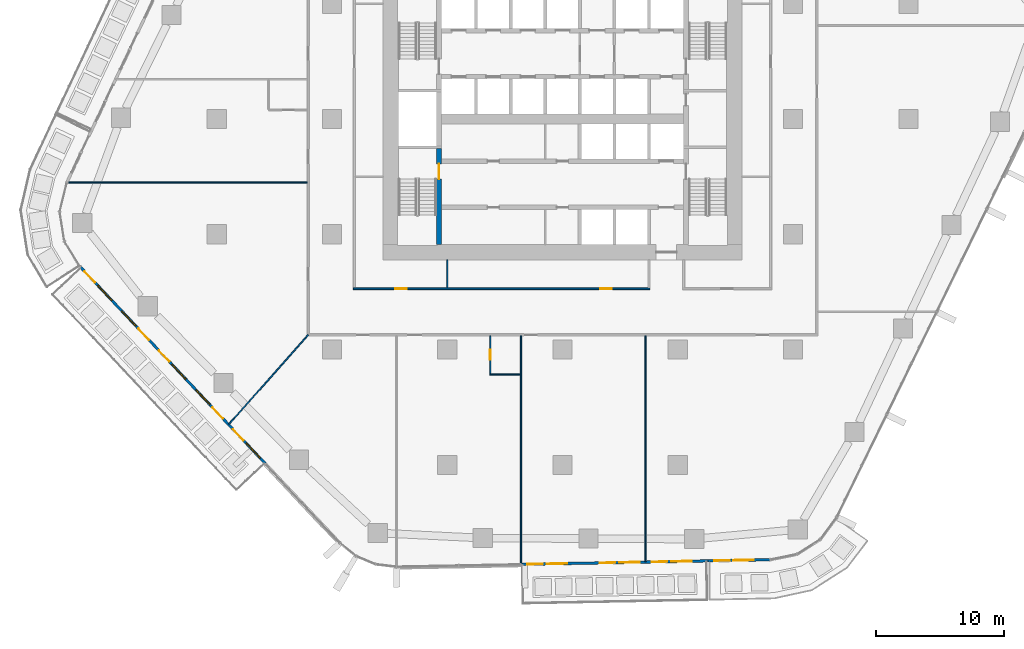
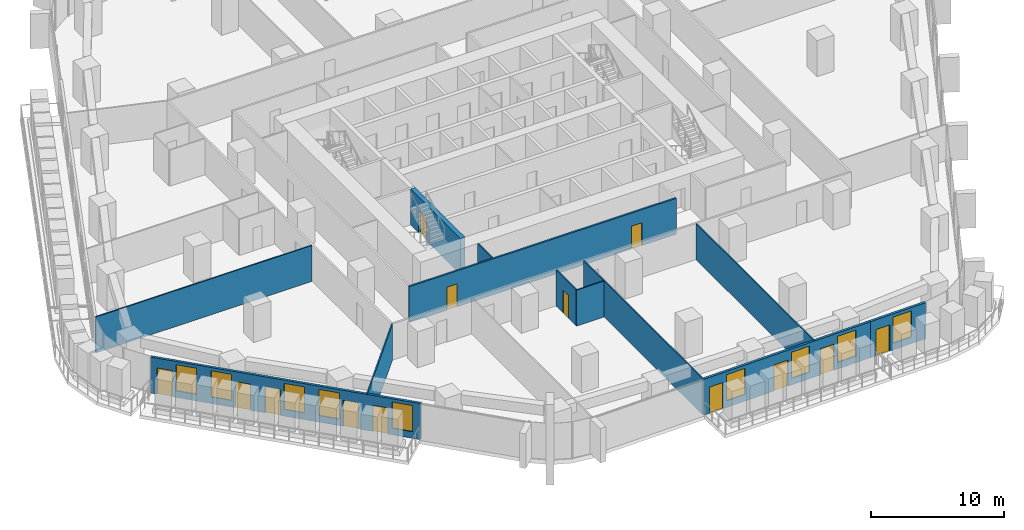
# One storey, part 13 of 25: 13 doors, 12 walls, 9 windows, 22 openings.
"""IFC4 building model written with IfcOpenShell, lengths in metres."""

from ifc_helpers import new_model, si_unit, direction, frame, frame_2d, origin, place, context, subcontext, project, spatial, rectangle, extrude, material, layer, layer_set, type_object, element, fill, save


model = new_model("IFC4")

# Units and contexts
model_context = context("Model", 3, precision=1e-05, world=origin(), true_north=direction((0.0, 1.0)))
body_context = subcontext(model_context, "Body", "Model", "MODEL_VIEW")
ifc_project = project(units=[si_unit("LENGTHUNIT", "METRE"), si_unit("AREAUNIT", "SQUARE_METRE"), si_unit("VOLUMEUNIT", "CUBIC_METRE"), si_unit("PLANEANGLEUNIT", "RADIAN"), si_unit("MASSUNIT", "GRAM", prefix="KILO")], contexts=[model_context])

# Site, building, storey
site_placement = place(None, origin())
site = spatial("IfcSite", under=ifc_project, at=site_placement, CompositionType="ELEMENT")
building_placement = place(site_placement, origin())
building = spatial("IfcBuilding", under=site, at=building_placement, Name="Dongbaek Canopy Tower", CompositionType="ELEMENT")
storey_placement = place(building_placement, frame((0.0, 0.0, 77.300048828125)))
storey = spatial("IfcBuildingStorey", under=building, at=storey_placement, Name="L15", CompositionType="ELEMENT", Elevation=77.300048828125)

# Wall, openings, doors
ifc_material_1 = material(Name="Gypsum board partition, steel stud, 2 x 15 mm fire board", Category="steel")
ifc_layer_1 = layer(ifc_material_1, 0.14990234375)
ifc_layer_set_1 = layer_set([ifc_layer_1], Name="Fire-rated partition 150 gypsum board")
wall_type_1 = type_object("IfcWallType", Name="Fire-rated partition 150 gypsum board", PredefinedType="PARTITIONING", material=ifc_layer_set_1)
wall_1_placement = place(storey_placement, frame((-16.324951171875, -13.25, 0.0), z_axis=(0.0, 0.0, 1.0), x_axis=(1.0, 0.0, 0.0)))
wall_1 = element("IfcWall", 1, at=wall_1_placement, inside=storey, type_object=wall_type_1, Name="Corridor partition", PredefinedType="PARTITIONING", context=body_context, shape_type="SweptSolid", body=[
    extrude(rectangle(XDim=23.14990234375, YDim=0.14990234375, at=frame_2d((11.574951171875, 0.0))), origin(), (0.0, 0.0, 1.0), 3.300048828125),
])
opening_1_placement = place(wall_1_placement, frame((3.25, 0.0, 0.0)))
opening_1 = element("IfcOpeningElement", 2, at=opening_1_placement, cuts=wall_1, Name="Opening L15-D014", PredefinedType="OPENING", context=body_context, shape_type="SweptSolid", body=[
    extrude(rectangle(XDim=0.89990234375, YDim=2.10009765625, at=frame_2d((0.449951171875, 1.050048828125))), frame((0.0, 0.0849609375, 0.0), z_axis=(0.0, -1.0, 0.0), x_axis=(1.0, 0.0, 0.0)), (0.0, 0.0, 1.0), 0.169921875),
])
opening_2_placement = place(wall_1_placement, frame((19.25, 0.0, 0.0)))
opening_2 = element("IfcOpeningElement", 3, at=opening_2_placement, cuts=wall_1, Name="Opening L15-D015", PredefinedType="OPENING", context=body_context, shape_type="SweptSolid", body=[
    extrude(rectangle(XDim=0.89990234375, YDim=2.10009765625, at=frame_2d((0.449951171875, 1.050048828125))), frame((0.0, 0.0849609375, 0.0), z_axis=(0.0, -1.0, 0.0), x_axis=(1.0, 0.0, 0.0)), (0.0, 0.0, 1.0), 0.169921875),
])
ifc_material_2 = material(Name="Timber veneered door leaf", Category="wood")
door_type_1 = type_object("IfcDoorType", Name="Room door 900 x 2100", OperationType="SINGLE_SWING_LEFT", PredefinedType="DOOR", material=ifc_material_2)
door_1_placement = place(opening_1_placement, origin())
door_1 = element("IfcDoor", 4, at=door_1_placement, inside=storey, type_object=door_type_1, Name="Door L15-D014", OperationType="SINGLE_SWING_RIGHT", OverallHeight=2.10009765625, OverallWidth=0.89990234375, PredefinedType="DOOR", context=body_context, shape_type="SweptSolid", body=[
    extrude(rectangle(XDim=0.89990234375, YDim=2.10009765625, at=frame_2d((0.449951171875, 1.050048828125))), frame((0.0, 0.02490234375, 0.0), z_axis=(0.0, -1.0, 0.0), x_axis=(1.0, 0.0, 0.0)), (0.0, 0.0, 1.0), 0.050048828125),
])
fill(opening_1, door_1)
door_2_placement = place(opening_2_placement, origin())
door_2 = element("IfcDoor", 5, at=door_2_placement, inside=storey, type_object=door_type_1, Name="Door L15-D015", OperationType="SINGLE_SWING_LEFT", OverallHeight=2.10009765625, OverallWidth=0.89990234375, PredefinedType="DOOR", context=body_context, shape_type="SweptSolid", body=[
    extrude(rectangle(XDim=0.89990234375, YDim=2.10009765625, at=frame_2d((0.449951171875, 1.050048828125))), frame((0.0, 0.02490234375, 0.0), z_axis=(0.0, -1.0, 0.0), x_axis=(1.0, 0.0, 0.0)), (0.0, 0.0, 1.0), 0.050048828125),
])
fill(opening_2, door_2)

# Walls
ifc_material_3 = material(Name="Gypsum board partition, steel stud, 2 x 12.5 mm board", Category="steel")
ifc_layer_2 = layer(ifc_material_3, 0.10009765625)
ifc_layer_set_2 = layer_set([ifc_layer_2], Name="Partition 100 gypsum board")
wall_type_2 = type_object("IfcWallType", Name="Partition 100 gypsum board", PredefinedType="PARTITIONING", material=ifc_layer_set_2)
wall_2_placement = place(storey_placement, frame((-5.6953125, -19.949951171875, 0.0), z_axis=(0.0, 0.0, 1.0), x_axis=(1.0, 0.0, 0.0)))
element("IfcWall", 6, at=wall_2_placement, inside=storey, type_object=wall_type_2, Name="Partition", PredefinedType="PARTITIONING", context=body_context, shape_type="SweptSolid", body=[
    extrude(rectangle(XDim=2.400146484375, YDim=0.10009765625, at=frame_2d((1.2001953125, 0.0))), origin(), (0.0, 0.0, 1.0), 3.300048828125),
])
wall_3_placement = place(storey_placement, frame((-38.671875, -4.9541015625, 0.0), z_axis=(0.0, 0.0, 1.0), x_axis=(1.0, 0.0, 0.0)))
element("IfcWall", 7, at=wall_3_placement, inside=storey, type_object=wall_type_2, Name="Partition", PredefinedType="PARTITIONING", context=body_context, shape_type="SweptSolid", body=[
    extrude(rectangle(XDim=18.746826171875, YDim=0.10009765625, at=frame_2d((9.37353515625, 0.0))), origin(), (0.0, 0.0, 1.0), 3.300048828125),
])
wall_4_placement = place(storey_placement, frame((-26.0576171875, -23.839599609375, 0.0), z_axis=(0.0, 0.0, 1.0), x_axis=(0.664057412605, 0.747681585145, 0.0)))
element("IfcWall", 8, at=wall_4_placement, inside=storey, type_object=wall_type_2, Name="Partition", PredefinedType="PARTITIONING", context=body_context, shape_type="SweptSolid", body=[
    extrude(rectangle(XDim=9.34814453125, YDim=0.10009765625, at=frame_2d((4.674072265625, 0.0))), origin(), (0.0, 0.0, 1.0), 3.300048828125),
])
wall_5_placement = place(storey_placement, frame((6.47998046875, -34.567138671875, 0.0), z_axis=(0.0, 0.0, 1.0), x_axis=(0.0, 1.0, 0.0)))
element("IfcWall", 9, at=wall_5_placement, inside=storey, type_object=wall_type_2, Name="Partition", PredefinedType="PARTITIONING", context=body_context, shape_type="SweptSolid", body=[
    extrude(rectangle(XDim=17.64208984375, YDim=0.10009765625, at=frame_2d((8.821044921875, 0.0))), origin(), (0.0, 0.0, 1.0), 3.300048828125),
])
wall_6_placement = place(storey_placement, frame((-3.2451171875, -34.75146484375, 0.0), z_axis=(0.0, 0.0, 1.0), x_axis=(0.0, 1.0, 0.0)))
element("IfcWall", 10, at=wall_6_placement, inside=storey, type_object=wall_type_2, Name="Partition", PredefinedType="PARTITIONING", context=body_context, shape_type="SweptSolid", body=[
    extrude(rectangle(XDim=17.826416015625, YDim=0.10009765625, at=frame_2d((8.9130859375, 0.0))), origin(), (0.0, 0.0, 1.0), 3.300048828125),
])

# Wall, opening, door
wall_7_placement = place(storey_placement, frame((-5.64501953125, -16.925048828125, 0.0), z_axis=(0.0, 0.0, 1.0), x_axis=(0.0, -1.0, 0.0)))
wall_7 = element("IfcWall", 11, at=wall_7_placement, inside=storey, type_object=wall_type_2, Name="Partition", PredefinedType="PARTITIONING", context=body_context, shape_type="SweptSolid", body=[
    extrude(rectangle(XDim=2.974853515625, YDim=0.10009765625, at=frame_2d((1.4873046875, 0.0))), origin(), (0.0, 0.0, 1.0), 3.300048828125),
])
opening_3_placement = place(wall_7_placement, frame((1.074951171875, 0.0, 0.0)))
opening_3 = element("IfcOpeningElement", 12, at=opening_3_placement, cuts=wall_7, Name="Opening L15-D005", PredefinedType="OPENING", context=body_context, shape_type="SweptSolid", body=[
    extrude(rectangle(XDim=0.800048828125, YDim=2.10009765625, at=frame_2d((0.39990234375, 1.050048828125))), frame((0.0, 0.06005859375, 0.0), z_axis=(0.0, -1.0, 0.0), x_axis=(1.0, 0.0, 0.0)), (0.0, 0.0, 1.0), 0.1201171875),
])
ifc_material_4 = material(Name="Timber veneered door leaf", Category="wood")
door_type_2 = type_object("IfcDoorType", Name="En-suite door 800 x 2100", OperationType="SINGLE_SWING_LEFT", PredefinedType="DOOR", material=ifc_material_4)
door_3_placement = place(opening_3_placement, origin())
door_3 = element("IfcDoor", 13, at=door_3_placement, inside=storey, type_object=door_type_2, Name="Door L15-D005", OperationType="SINGLE_SWING_RIGHT", OverallHeight=2.10009765625, OverallWidth=0.800048828125, PredefinedType="DOOR", context=body_context, shape_type="SweptSolid", body=[
    extrude(rectangle(XDim=0.800048828125, YDim=2.10009765625, at=frame_2d((0.39990234375, 1.050048828125))), frame((0.0, 0.02490234375, 0.0), z_axis=(0.0, -1.0, 0.0), x_axis=(1.0, 0.0, 0.0)), (0.0, 0.0, 1.0), 0.050048828125),
])
fill(opening_3, door_3)

# Wall
wall_8_placement = place(storey_placement, frame((-9.0, -13.175048828125, 0.0), z_axis=(0.0, 0.0, 1.0), x_axis=(0.0, 1.0, 0.0)))
element("IfcWall", 14, at=wall_8_placement, inside=storey, type_object=wall_type_2, Name="Partition", PredefinedType="PARTITIONING", context=body_context, shape_type="SweptSolid", body=[
    extrude(rectangle(XDim=2.175048828125, YDim=0.10009765625, at=frame_2d((1.08740234375, 0.0))), origin(), (0.0, 0.0, 1.0), 3.300048828125),
])

# Wall, opening, door
ifc_material_5 = material(Name="Concrete C60/75", Category="concrete")
ifc_layer_3 = layer(ifc_material_5, 0.39990234375)
ifc_layer_set_3 = layer_set([ifc_layer_3], Name="Stair wall 400 Concrete C60/75")
wall_type_3 = type_object("IfcWallType", Name="Stair wall 400 Concrete C60/75", PredefinedType="SHEAR", material=ifc_layer_set_3)
wall_9_placement = place(storey_placement, frame((-9.64990234375, -9.800048828125, 0.0), z_axis=(0.0, 0.0, 1.0), x_axis=(0.0, 1.0, 0.0)))
wall_9 = element("IfcWall", 15, at=wall_9_placement, inside=storey, type_object=wall_type_3, Name="Stair wall", PredefinedType="SHEAR", context=body_context, shape_type="SweptSolid", body=[
    extrude(rectangle(XDim=7.5, YDim=0.39990234375, at=frame_2d((3.75, 0.0))), origin(), (0.0, 0.0, 1.0), 3.300048828125),
])
opening_4_placement = place(wall_9_placement, frame((5.10009765625, 0.0, 0.0)))
opening_4 = element("IfcOpeningElement", 16, at=opening_4_placement, cuts=wall_9, Name="Opening L15-D048", PredefinedType="OPENING", context=body_context, shape_type="SweptSolid", body=[
    extrude(rectangle(XDim=1.199951171875, YDim=2.10009765625, at=frame_2d((0.60009765625, 1.050048828125))), frame((0.0, 0.2099609375, 0.0), z_axis=(0.0, -1.0, 0.0), x_axis=(1.0, 0.0, 0.0)), (0.0, 0.0, 1.0), 0.419921875),
])
ifc_material_6 = material(Name="Steel", Category="steel")
door_type_3 = type_object("IfcDoorType", Name="Stair door 1200 x 2100", OperationType="SINGLE_SWING_LEFT", PredefinedType="DOOR", material=ifc_material_6)
door_4_placement = place(opening_4_placement, origin())
door_4 = element("IfcDoor", 17, at=door_4_placement, inside=storey, type_object=door_type_3, Name="Stair D door", OperationType="SINGLE_SWING_LEFT", OverallHeight=2.10009765625, OverallWidth=1.199951171875, PredefinedType="DOOR", context=body_context, shape_type="SweptSolid", body=[
    extrude(rectangle(XDim=1.199951171875, YDim=2.10009765625, at=frame_2d((0.60009765625, 1.050048828125))), frame((0.0, 0.02490234375, 0.0), z_axis=(0.0, -1.0, 0.0), x_axis=(1.0, 0.0, 0.0)), (0.0, 0.0, 1.0), 0.050048828125),
])
fill(opening_4, door_4)

# Wall, openings, doors, windows
ifc_material_7 = material(Name="Aluminium window wall", Category="aluminium")
ifc_layer_4 = layer(ifc_material_7, 0.199951171875)
ifc_layer_set_4 = layer_set([ifc_layer_4], Name="Window wall 200")
wall_type_4 = type_object("IfcWallType", Name="Window wall 200", PredefinedType="SOLIDWALL", material=ifc_layer_set_4)
wall_10_placement = place(storey_placement, frame((-37.655517578125, -11.5322265625, 0.0), z_axis=(0.0, 0.0, 1.0), x_axis=(0.684960405986, -0.728580292234, 0.0)))
wall_10 = element("IfcWall", 18, at=wall_10_placement, inside=storey, type_object=wall_type_4, Name="Window wall L15 3", PredefinedType="SOLIDWALL", context=body_context, shape_type="SweptSolid", body=[
    extrude(rectangle(XDim=21.139892578125, YDim=0.199951171875, at=frame_2d((10.56982421875, 0.0))), origin(), (0.0, 0.0, 1.0), 3.300048828125),
])
opening_5_placement = place(wall_10_placement, frame((2.0, 0.0, 0.60009765625)))
opening_5 = element("IfcOpeningElement", 19, at=opening_5_placement, cuts=wall_10, Name="Opening W1", PredefinedType="OPENING", context=body_context, shape_type="SweptSolid", body=[
    extrude(rectangle(XDim=1.60009765625, YDim=2.39990234375, at=frame_2d((0.800048828125, 1.199951171875))), frame((0.0, 0.10986328125, 0.0), z_axis=(0.0, -1.0, 0.0), x_axis=(1.0, 0.0, 0.0)), (0.0, 0.0, 1.0), 0.219970703125),
])
opening_6_placement = place(wall_10_placement, frame((0.5, 0.0, 0.0)))
opening_6 = element("IfcOpeningElement", 20, at=opening_6_placement, cuts=wall_10, Name="Opening L15-B13", PredefinedType="OPENING", context=body_context, shape_type="SweptSolid", body=[
    extrude(rectangle(XDim=1.199951171875, YDim=2.39990234375, at=frame_2d((0.60009765625, 1.199951171875))), frame((0.0, 0.10986328125, 0.0), z_axis=(0.0, -1.0, 0.0), x_axis=(1.0, 0.0, 0.0)), (0.0, 0.0, 1.0), 0.219970703125),
])
opening_7_placement = place(wall_10_placement, frame((4.72802734375, 0.0, 0.60009765625)))
opening_7 = element("IfcOpeningElement", 21, at=opening_7_placement, cuts=wall_10, Name="Opening W1", PredefinedType="OPENING", context=body_context, shape_type="SweptSolid", body=[
    extrude(rectangle(XDim=1.60009765625, YDim=2.39990234375, at=frame_2d((0.800048828125, 1.199951171875))), frame((0.0, 0.10986328125, 0.0), z_axis=(0.0, -1.0, 0.0), x_axis=(1.0, 0.0, 0.0)), (0.0, 0.0, 1.0), 0.219970703125),
])
opening_8_placement = place(wall_10_placement, frame((6.6279296875, 0.0, 0.0)))
opening_8 = element("IfcOpeningElement", 22, at=opening_8_placement, cuts=wall_10, Name="Opening L15-B14", PredefinedType="OPENING", context=body_context, shape_type="SweptSolid", body=[
    extrude(rectangle(XDim=1.199951171875, YDim=2.39990234375, at=frame_2d((0.60009765625, 1.199951171875))), frame((0.0, 0.10986328125, 0.0), z_axis=(0.0, -1.0, 0.0), x_axis=(1.0, 0.0, 0.0)), (0.0, 0.0, 1.0), 0.219970703125),
])
opening_9_placement = place(wall_10_placement, frame((10.4560546875, 0.0, 0.60009765625)))
opening_9 = element("IfcOpeningElement", 23, at=opening_9_placement, cuts=wall_10, Name="Opening W1", PredefinedType="OPENING", context=body_context, shape_type="SweptSolid", body=[
    extrude(rectangle(XDim=1.60009765625, YDim=2.39990234375, at=frame_2d((0.800048828125, 1.199951171875))), frame((0.0, 0.10986328125, 0.0), z_axis=(0.0, -1.0, 0.0), x_axis=(1.0, 0.0, 0.0)), (0.0, 0.0, 1.0), 0.219970703125),
])
opening_10_placement = place(wall_10_placement, frame((8.9560546875, 0.0, 0.0)))
opening_10 = element("IfcOpeningElement", 24, at=opening_10_placement, cuts=wall_10, Name="Opening L15-B15", PredefinedType="OPENING", context=body_context, shape_type="SweptSolid", body=[
    extrude(rectangle(XDim=1.199951171875, YDim=2.39990234375, at=frame_2d((0.60009765625, 1.199951171875))), frame((0.0, 0.10986328125, 0.0), z_axis=(0.0, -1.0, 0.0), x_axis=(1.0, 0.0, 0.0)), (0.0, 0.0, 1.0), 0.219970703125),
])
opening_11_placement = place(wall_10_placement, frame((13.183837890625, 0.0, 0.60009765625)))
opening_11 = element("IfcOpeningElement", 25, at=opening_11_placement, cuts=wall_10, Name="Opening W1", PredefinedType="OPENING", context=body_context, shape_type="SweptSolid", body=[
    extrude(rectangle(XDim=1.60009765625, YDim=2.39990234375, at=frame_2d((0.800048828125, 1.199951171875))), frame((0.0, 0.10986328125, 0.0), z_axis=(0.0, -1.0, 0.0), x_axis=(1.0, 0.0, 0.0)), (0.0, 0.0, 1.0), 0.219970703125),
])
opening_12_placement = place(wall_10_placement, frame((15.083984375, 0.0, 0.0)))
opening_12 = element("IfcOpeningElement", 26, at=opening_12_placement, cuts=wall_10, Name="Opening L15-B16", PredefinedType="OPENING", context=body_context, shape_type="SweptSolid", body=[
    extrude(rectangle(XDim=1.199951171875, YDim=2.39990234375, at=frame_2d((0.60009765625, 1.199951171875))), frame((0.0, 0.10986328125, 0.0), z_axis=(0.0, -1.0, 0.0), x_axis=(1.0, 0.0, 0.0)), (0.0, 0.0, 1.0), 0.219970703125),
])
opening_13_placement = place(wall_10_placement, frame((18.911865234375, 0.0, 0.60009765625)))
opening_13 = element("IfcOpeningElement", 27, at=opening_13_placement, cuts=wall_10, Name="Opening W1", PredefinedType="OPENING", context=body_context, shape_type="SweptSolid", body=[
    extrude(rectangle(XDim=1.60009765625, YDim=2.39990234375, at=frame_2d((0.800048828125, 1.199951171875))), frame((0.0, 0.10986328125, 0.0), z_axis=(0.0, -1.0, 0.0), x_axis=(1.0, 0.0, 0.0)), (0.0, 0.0, 1.0), 0.219970703125),
])
opening_14_placement = place(wall_10_placement, frame((17.411865234375, 0.0, 0.0)))
opening_14 = element("IfcOpeningElement", 28, at=opening_14_placement, cuts=wall_10, Name="Opening L15-B17", PredefinedType="OPENING", context=body_context, shape_type="SweptSolid", body=[
    extrude(rectangle(XDim=1.199951171875, YDim=2.39990234375, at=frame_2d((0.60009765625, 1.199951171875))), frame((0.0, 0.10986328125, 0.0), z_axis=(0.0, -1.0, 0.0), x_axis=(1.0, 0.0, 0.0)), (0.0, 0.0, 1.0), 0.219970703125),
])
ifc_material_8 = material(Name="Clear glazing in aluminium frame", Category="aluminium")
door_type_4 = type_object("IfcDoorType", Name="Balcony door BD1 1200 x 2400", OperationType="SLIDING_TO_LEFT", PredefinedType="DOOR", material=ifc_material_8)
door_5_placement = place(opening_6_placement, origin())
door_5 = element("IfcDoor", 29, at=door_5_placement, inside=storey, type_object=door_type_4, Name="Balcony door L15-B13", OperationType="SLIDING_TO_LEFT", OverallHeight=2.39990234375, OverallWidth=1.199951171875, PredefinedType="DOOR", context=body_context, shape_type="SweptSolid", body=[
    extrude(rectangle(XDim=1.199951171875, YDim=2.39990234375, at=frame_2d((0.60009765625, 1.199951171875))), frame((0.0, 0.02490234375, 0.0), z_axis=(0.0, -1.0, 0.0), x_axis=(1.0, 0.0, 0.0)), (0.0, 0.0, 1.0), 0.050048828125),
])
fill(opening_6, door_5)
door_6_placement = place(opening_8_placement, origin())
door_6 = element("IfcDoor", 30, at=door_6_placement, inside=storey, type_object=door_type_4, Name="Balcony door L15-B14", OperationType="SLIDING_TO_LEFT", OverallHeight=2.39990234375, OverallWidth=1.199951171875, PredefinedType="DOOR", context=body_context, shape_type="SweptSolid", body=[
    extrude(rectangle(XDim=1.199951171875, YDim=2.39990234375, at=frame_2d((0.60009765625, 1.199951171875))), frame((0.0, 0.02490234375, 0.0), z_axis=(0.0, -1.0, 0.0), x_axis=(1.0, 0.0, 0.0)), (0.0, 0.0, 1.0), 0.050048828125),
])
fill(opening_8, door_6)
door_7_placement = place(opening_10_placement, origin())
door_7 = element("IfcDoor", 31, at=door_7_placement, inside=storey, type_object=door_type_4, Name="Balcony door L15-B15", OperationType="SLIDING_TO_LEFT", OverallHeight=2.39990234375, OverallWidth=1.199951171875, PredefinedType="DOOR", context=body_context, shape_type="SweptSolid", body=[
    extrude(rectangle(XDim=1.199951171875, YDim=2.39990234375, at=frame_2d((0.60009765625, 1.199951171875))), frame((0.0, 0.02490234375, 0.0), z_axis=(0.0, -1.0, 0.0), x_axis=(1.0, 0.0, 0.0)), (0.0, 0.0, 1.0), 0.050048828125),
])
fill(opening_10, door_7)
door_8_placement = place(opening_12_placement, origin())
door_8 = element("IfcDoor", 32, at=door_8_placement, inside=storey, type_object=door_type_4, Name="Balcony door L15-B16", OperationType="SLIDING_TO_LEFT", OverallHeight=2.39990234375, OverallWidth=1.199951171875, PredefinedType="DOOR", context=body_context, shape_type="SweptSolid", body=[
    extrude(rectangle(XDim=1.199951171875, YDim=2.39990234375, at=frame_2d((0.60009765625, 1.199951171875))), frame((0.0, 0.02490234375, 0.0), z_axis=(0.0, -1.0, 0.0), x_axis=(1.0, 0.0, 0.0)), (0.0, 0.0, 1.0), 0.050048828125),
])
fill(opening_12, door_8)
door_9_placement = place(opening_14_placement, origin())
door_9 = element("IfcDoor", 33, at=door_9_placement, inside=storey, type_object=door_type_4, Name="Balcony door L15-B17", OperationType="SLIDING_TO_LEFT", OverallHeight=2.39990234375, OverallWidth=1.199951171875, PredefinedType="DOOR", context=body_context, shape_type="SweptSolid", body=[
    extrude(rectangle(XDim=1.199951171875, YDim=2.39990234375, at=frame_2d((0.60009765625, 1.199951171875))), frame((0.0, 0.02490234375, 0.0), z_axis=(0.0, -1.0, 0.0), x_axis=(1.0, 0.0, 0.0)), (0.0, 0.0, 1.0), 0.050048828125),
])
fill(opening_14, door_9)
ifc_material_9 = material(Name="Clear glazing in aluminium frame", Category="aluminium")
window_type = type_object("IfcWindowType", Name="Window W1 1600 x 2400", PartitioningType="SINGLE_PANEL", PredefinedType="WINDOW", material=ifc_material_9)
window_1_placement = place(opening_5_placement, origin())
window_1 = element("IfcWindow", 34, at=window_1_placement, inside=storey, type_object=window_type, Name="Window L15 3.1", OverallHeight=2.39990234375, OverallWidth=1.60009765625, PartitioningType="SINGLE_PANEL", PredefinedType="WINDOW", context=body_context, shape_type="SweptSolid", body=[
    extrude(rectangle(XDim=1.60009765625, YDim=2.39990234375, at=frame_2d((0.800048828125, 1.199951171875))), frame((0.0, 0.030029296875, 0.0), z_axis=(0.0, -1.0, 0.0), x_axis=(1.0, 0.0, 0.0)), (0.0, 0.0, 1.0), 0.06005859375),
])
fill(opening_5, window_1)
window_2_placement = place(opening_7_placement, origin())
window_2 = element("IfcWindow", 35, at=window_2_placement, inside=storey, type_object=window_type, Name="Window L15 3.2", OverallHeight=2.39990234375, OverallWidth=1.60009765625, PartitioningType="SINGLE_PANEL", PredefinedType="WINDOW", context=body_context, shape_type="SweptSolid", body=[
    extrude(rectangle(XDim=1.60009765625, YDim=2.39990234375, at=frame_2d((0.800048828125, 1.199951171875))), frame((0.0, 0.030029296875, 0.0), z_axis=(0.0, -1.0, 0.0), x_axis=(1.0, 0.0, 0.0)), (0.0, 0.0, 1.0), 0.06005859375),
])
fill(opening_7, window_2)
window_3_placement = place(opening_9_placement, origin())
window_3 = element("IfcWindow", 36, at=window_3_placement, inside=storey, type_object=window_type, Name="Window L15 3.3", OverallHeight=2.39990234375, OverallWidth=1.60009765625, PartitioningType="SINGLE_PANEL", PredefinedType="WINDOW", context=body_context, shape_type="SweptSolid", body=[
    extrude(rectangle(XDim=1.60009765625, YDim=2.39990234375, at=frame_2d((0.800048828125, 1.199951171875))), frame((0.0, 0.030029296875, 0.0), z_axis=(0.0, -1.0, 0.0), x_axis=(1.0, 0.0, 0.0)), (0.0, 0.0, 1.0), 0.06005859375),
])
fill(opening_9, window_3)
window_4_placement = place(opening_11_placement, origin())
window_4 = element("IfcWindow", 37, at=window_4_placement, inside=storey, type_object=window_type, Name="Window L15 3.4", OverallHeight=2.39990234375, OverallWidth=1.60009765625, PartitioningType="SINGLE_PANEL", PredefinedType="WINDOW", context=body_context, shape_type="SweptSolid", body=[
    extrude(rectangle(XDim=1.60009765625, YDim=2.39990234375, at=frame_2d((0.800048828125, 1.199951171875))), frame((0.0, 0.030029296875, 0.0), z_axis=(0.0, -1.0, 0.0), x_axis=(1.0, 0.0, 0.0)), (0.0, 0.0, 1.0), 0.06005859375),
])
fill(opening_11, window_4)
window_5_placement = place(opening_13_placement, origin())
window_5 = element("IfcWindow", 38, at=window_5_placement, inside=storey, type_object=window_type, Name="Window L15 3.5", OverallHeight=2.39990234375, OverallWidth=1.60009765625, PartitioningType="SINGLE_PANEL", PredefinedType="WINDOW", context=body_context, shape_type="SweptSolid", body=[
    extrude(rectangle(XDim=1.60009765625, YDim=2.39990234375, at=frame_2d((0.800048828125, 1.199951171875))), frame((0.0, 0.030029296875, 0.0), z_axis=(0.0, -1.0, 0.0), x_axis=(1.0, 0.0, 0.0)), (0.0, 0.0, 1.0), 0.06005859375),
])
fill(opening_13, window_5)

wall_11_placement = place(storey_placement, frame((-3.2451171875, -34.771484375, 0.0), z_axis=(0.0, 0.0, 1.0), x_axis=(0.99982027527, 0.018958300507, 0.0)))
wall_11 = element("IfcWall", 39, at=wall_11_placement, inside=storey, type_object=wall_type_4, Name="Window wall L15 4", PredefinedType="SOLIDWALL", context=body_context, shape_type="SweptSolid", body=[
    extrude(rectangle(XDim=14.590576171875, YDim=0.199951171875, at=frame_2d((7.29541015625, 0.0))), origin(), (0.0, 0.0, 1.0), 3.300048828125),
])
opening_15_placement = place(wall_11_placement, frame((2.0, 0.0, 0.60009765625)))
opening_15 = element("IfcOpeningElement", 40, at=opening_15_placement, cuts=wall_11, Name="Opening W1", PredefinedType="OPENING", context=body_context, shape_type="SweptSolid", body=[
    extrude(rectangle(XDim=1.60009765625, YDim=2.39990234375, at=frame_2d((0.800048828125, 1.199951171875))), frame((0.0, 0.10986328125, 0.0), z_axis=(0.0, -1.0, 0.0), x_axis=(1.0, 0.0, 0.0)), (0.0, 0.0, 1.0), 0.219970703125),
])
opening_16_placement = place(wall_11_placement, frame((0.5, 0.0, 0.0)))
opening_16 = element("IfcOpeningElement", 41, at=opening_16_placement, cuts=wall_11, Name="Opening L15-B18", PredefinedType="OPENING", context=body_context, shape_type="SweptSolid", body=[
    extrude(rectangle(XDim=1.199951171875, YDim=2.39990234375, at=frame_2d((0.60009765625, 1.199951171875))), frame((0.0, 0.10986328125, 0.0), z_axis=(0.0, -1.0, 0.0), x_axis=(1.0, 0.0, 0.0)), (0.0, 0.0, 1.0), 0.219970703125),
])
opening_17_placement = place(wall_11_placement, frame((7.66357421875, 0.0, 0.60009765625)))
opening_17 = element("IfcOpeningElement", 42, at=opening_17_placement, cuts=wall_11, Name="Opening W1", PredefinedType="OPENING", context=body_context, shape_type="SweptSolid", body=[
    extrude(rectangle(XDim=1.60009765625, YDim=2.39990234375, at=frame_2d((0.800048828125, 1.199951171875))), frame((0.0, 0.10986328125, 0.0), z_axis=(0.0, -1.0, 0.0), x_axis=(1.0, 0.0, 0.0)), (0.0, 0.0, 1.0), 0.219970703125),
])
opening_18_placement = place(wall_11_placement, frame((6.16357421875, 0.0, 0.0)))
opening_18 = element("IfcOpeningElement", 43, at=opening_18_placement, cuts=wall_11, Name="Opening L15-B19", PredefinedType="OPENING", context=body_context, shape_type="SweptSolid", body=[
    extrude(rectangle(XDim=1.199951171875, YDim=2.39990234375, at=frame_2d((0.60009765625, 1.199951171875))), frame((0.0, 0.10986328125, 0.0), z_axis=(0.0, -1.0, 0.0), x_axis=(1.0, 0.0, 0.0)), (0.0, 0.0, 1.0), 0.219970703125),
])
opening_19_placement = place(wall_11_placement, frame((11.72705078125, 0.0, 0.60009765625)))
opening_19 = element("IfcOpeningElement", 44, at=opening_19_placement, cuts=wall_11, Name="Opening W1", PredefinedType="OPENING", context=body_context, shape_type="SweptSolid", body=[
    extrude(rectangle(XDim=1.60009765625, YDim=2.39990234375, at=frame_2d((0.800048828125, 1.199951171875))), frame((0.0, 0.10986328125, 0.0), z_axis=(0.0, -1.0, 0.0), x_axis=(1.0, 0.0, 0.0)), (0.0, 0.0, 1.0), 0.219970703125),
])
opening_20_placement = place(wall_11_placement, frame((10.22705078125, 0.0, 0.0)))
opening_20 = element("IfcOpeningElement", 45, at=opening_20_placement, cuts=wall_11, Name="Opening L15-B20", PredefinedType="OPENING", context=body_context, shape_type="SweptSolid", body=[
    extrude(rectangle(XDim=1.199951171875, YDim=2.39990234375, at=frame_2d((0.60009765625, 1.199951171875))), frame((0.0, 0.10986328125, 0.0), z_axis=(0.0, -1.0, 0.0), x_axis=(1.0, 0.0, 0.0)), (0.0, 0.0, 1.0), 0.219970703125),
])
door_10_placement = place(opening_16_placement, origin())
door_10 = element("IfcDoor", 46, at=door_10_placement, inside=storey, type_object=door_type_4, Name="Balcony door L15-B18", OperationType="SLIDING_TO_LEFT", OverallHeight=2.39990234375, OverallWidth=1.199951171875, PredefinedType="DOOR", context=body_context, shape_type="SweptSolid", body=[
    extrude(rectangle(XDim=1.199951171875, YDim=2.39990234375, at=frame_2d((0.60009765625, 1.199951171875))), frame((0.0, 0.02490234375, 0.0), z_axis=(0.0, -1.0, 0.0), x_axis=(1.0, 0.0, 0.0)), (0.0, 0.0, 1.0), 0.050048828125),
])
fill(opening_16, door_10)
door_11_placement = place(opening_18_placement, origin())
door_11 = element("IfcDoor", 47, at=door_11_placement, inside=storey, type_object=door_type_4, Name="Balcony door L15-B19", OperationType="SLIDING_TO_LEFT", OverallHeight=2.39990234375, OverallWidth=1.199951171875, PredefinedType="DOOR", context=body_context, shape_type="SweptSolid", body=[
    extrude(rectangle(XDim=1.199951171875, YDim=2.39990234375, at=frame_2d((0.60009765625, 1.199951171875))), frame((0.0, 0.02490234375, 0.0), z_axis=(0.0, -1.0, 0.0), x_axis=(1.0, 0.0, 0.0)), (0.0, 0.0, 1.0), 0.050048828125),
])
fill(opening_18, door_11)
door_12_placement = place(opening_20_placement, origin())
door_12 = element("IfcDoor", 48, at=door_12_placement, inside=storey, type_object=door_type_4, Name="Balcony door L15-B20", OperationType="SLIDING_TO_LEFT", OverallHeight=2.39990234375, OverallWidth=1.199951171875, PredefinedType="DOOR", context=body_context, shape_type="SweptSolid", body=[
    extrude(rectangle(XDim=1.199951171875, YDim=2.39990234375, at=frame_2d((0.60009765625, 1.199951171875))), frame((0.0, 0.02490234375, 0.0), z_axis=(0.0, -1.0, 0.0), x_axis=(1.0, 0.0, 0.0)), (0.0, 0.0, 1.0), 0.050048828125),
])
fill(opening_20, door_12)
window_6_placement = place(opening_15_placement, origin())
window_6 = element("IfcWindow", 49, at=window_6_placement, inside=storey, type_object=window_type, Name="Window L15 4.1", OverallHeight=2.39990234375, OverallWidth=1.60009765625, PartitioningType="SINGLE_PANEL", PredefinedType="WINDOW", context=body_context, shape_type="SweptSolid", body=[
    extrude(rectangle(XDim=1.60009765625, YDim=2.39990234375, at=frame_2d((0.800048828125, 1.199951171875))), frame((0.0, 0.030029296875, 0.0), z_axis=(0.0, -1.0, 0.0), x_axis=(1.0, 0.0, 0.0)), (0.0, 0.0, 1.0), 0.06005859375),
])
fill(opening_15, window_6)
window_7_placement = place(opening_17_placement, origin())
window_7 = element("IfcWindow", 50, at=window_7_placement, inside=storey, type_object=window_type, Name="Window L15 4.2", OverallHeight=2.39990234375, OverallWidth=1.60009765625, PartitioningType="SINGLE_PANEL", PredefinedType="WINDOW", context=body_context, shape_type="SweptSolid", body=[
    extrude(rectangle(XDim=1.60009765625, YDim=2.39990234375, at=frame_2d((0.800048828125, 1.199951171875))), frame((0.0, 0.030029296875, 0.0), z_axis=(0.0, -1.0, 0.0), x_axis=(1.0, 0.0, 0.0)), (0.0, 0.0, 1.0), 0.06005859375),
])
fill(opening_17, window_7)
window_8_placement = place(opening_19_placement, origin())
window_8 = element("IfcWindow", 51, at=window_8_placement, inside=storey, type_object=window_type, Name="Window L15 4.3", OverallHeight=2.39990234375, OverallWidth=1.60009765625, PartitioningType="SINGLE_PANEL", PredefinedType="WINDOW", context=body_context, shape_type="SweptSolid", body=[
    extrude(rectangle(XDim=1.60009765625, YDim=2.39990234375, at=frame_2d((0.800048828125, 1.199951171875))), frame((0.0, 0.030029296875, 0.0), z_axis=(0.0, -1.0, 0.0), x_axis=(1.0, 0.0, 0.0)), (0.0, 0.0, 1.0), 0.06005859375),
])
fill(opening_19, window_8)

# Wall, openings, door, window
wall_12_placement = place(storey_placement, frame((11.3427734375, -34.494873046875, 0.0), z_axis=(0.0, 0.0, 1.0), x_axis=(0.999821170107, 0.01891104985, 0.0)))
wall_12 = element("IfcWall", 52, at=wall_12_placement, inside=storey, type_object=wall_type_4, Name="Window wall L15 7", PredefinedType="SOLIDWALL", context=body_context, shape_type="SweptSolid", body=[
    extrude(rectangle(XDim=4.854248046875, YDim=0.199951171875, at=frame_2d((2.42724609375, 0.0))), origin(), (0.0, 0.0, 1.0), 3.300048828125),
])
opening_21_placement = place(wall_12_placement, frame((2.0, 0.0, 0.60009765625)))
opening_21 = element("IfcOpeningElement", 53, at=opening_21_placement, cuts=wall_12, Name="Opening W1", PredefinedType="OPENING", context=body_context, shape_type="SweptSolid", body=[
    extrude(rectangle(XDim=1.60009765625, YDim=2.39990234375, at=frame_2d((0.800048828125, 1.199951171875))), frame((0.0, 0.10986328125, 0.0), z_axis=(0.0, -1.0, 0.0), x_axis=(1.0, 0.0, 0.0)), (0.0, 0.0, 1.0), 0.219970703125),
])
opening_22_placement = place(wall_12_placement, frame((0.5, 0.0, 0.0)))
opening_22 = element("IfcOpeningElement", 54, at=opening_22_placement, cuts=wall_12, Name="Opening L15-B21", PredefinedType="OPENING", context=body_context, shape_type="SweptSolid", body=[
    extrude(rectangle(XDim=1.199951171875, YDim=2.39990234375, at=frame_2d((0.60009765625, 1.199951171875))), frame((0.0, 0.10986328125, 0.0), z_axis=(0.0, -1.0, 0.0), x_axis=(1.0, 0.0, 0.0)), (0.0, 0.0, 1.0), 0.219970703125),
])
door_13_placement = place(opening_22_placement, origin())
door_13 = element("IfcDoor", 55, at=door_13_placement, inside=storey, type_object=door_type_4, Name="Balcony door L15-B21", OperationType="SLIDING_TO_LEFT", OverallHeight=2.39990234375, OverallWidth=1.199951171875, PredefinedType="DOOR", context=body_context, shape_type="SweptSolid", body=[
    extrude(rectangle(XDim=1.199951171875, YDim=2.39990234375, at=frame_2d((0.60009765625, 1.199951171875))), frame((0.0, 0.02490234375, 0.0), z_axis=(0.0, -1.0, 0.0), x_axis=(1.0, 0.0, 0.0)), (0.0, 0.0, 1.0), 0.050048828125),
])
fill(opening_22, door_13)
window_9_placement = place(opening_21_placement, origin())
window_9 = element("IfcWindow", 56, at=window_9_placement, inside=storey, type_object=window_type, Name="Window L15 7.1", OverallHeight=2.39990234375, OverallWidth=1.60009765625, PartitioningType="SINGLE_PANEL", PredefinedType="WINDOW", context=body_context, shape_type="SweptSolid", body=[
    extrude(rectangle(XDim=1.60009765625, YDim=2.39990234375, at=frame_2d((0.800048828125, 1.199951171875))), frame((0.0, 0.030029296875, 0.0), z_axis=(0.0, -1.0, 0.0), x_axis=(1.0, 0.0, 0.0)), (0.0, 0.0, 1.0), 0.06005859375),
])
fill(opening_21, window_9)

save(model, "model.ifc")
